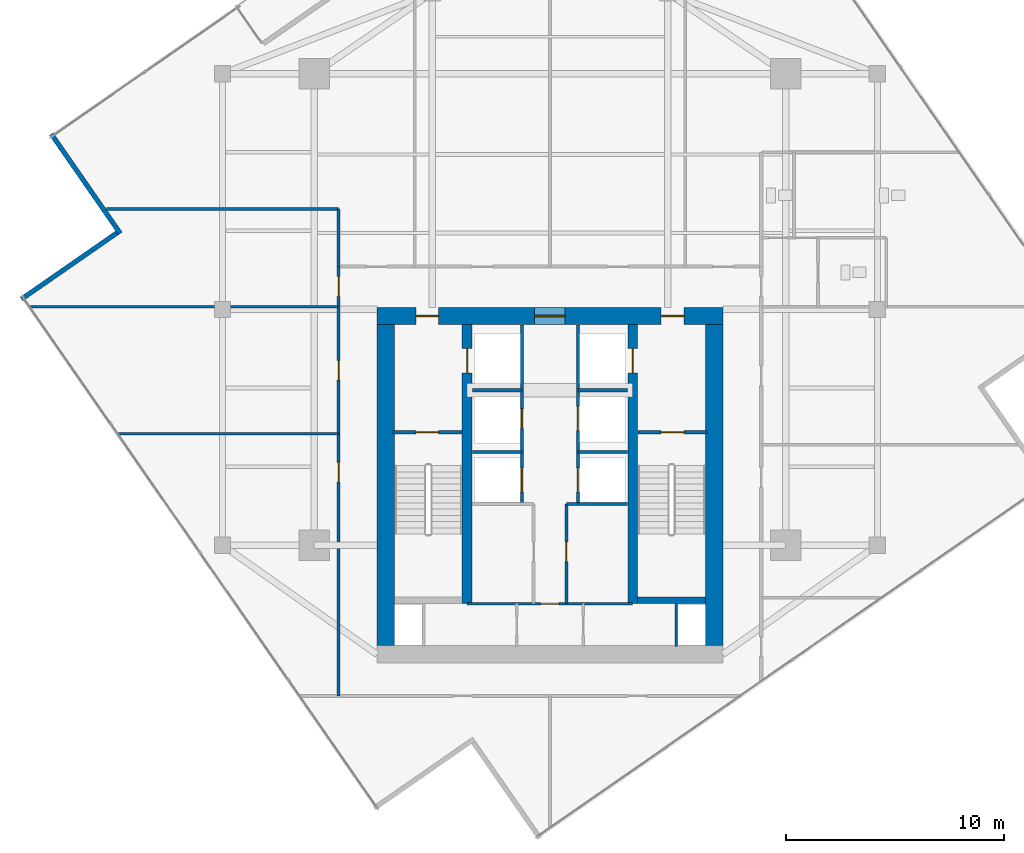
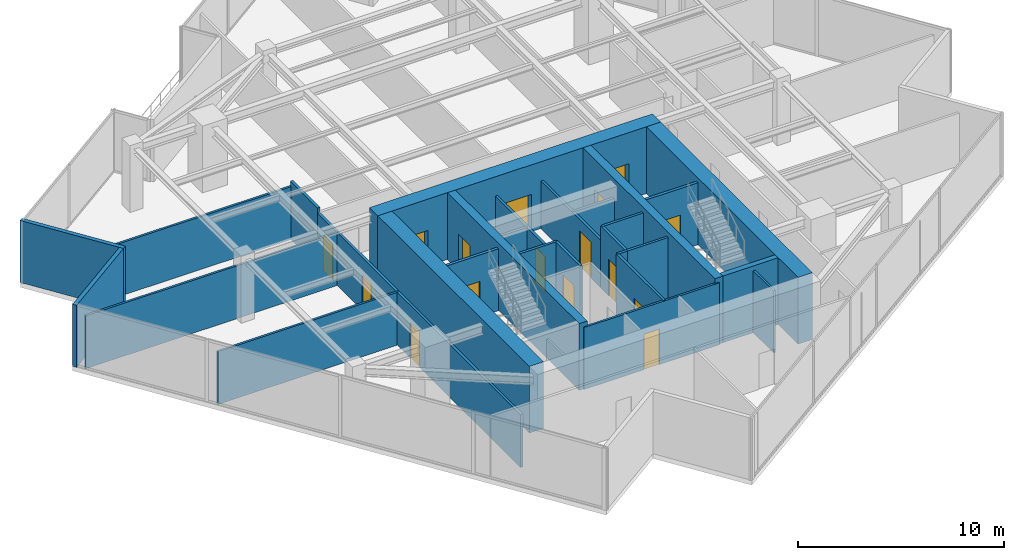
# One storey, part 18 of 21: 28 walls, 16 doors, 16 openings.
"""IFC4 building model written with IfcOpenShell, lengths in metres."""

from ifc_helpers import new_model, si_unit, direction, frame, frame_2d, origin, place, context, subcontext, project, spatial, rectangle, extrude, material, layer, layer_set, type_object, element, fill, save


model = new_model("IFC4")

# Units and contexts
model_context = context("Model", 3, precision=1e-05, world=origin(), true_north=direction((0.0, 1.0)))
body_context = subcontext(model_context, "Body", "Model", "MODEL_VIEW")
ifc_project = project(units=[si_unit("LENGTHUNIT", "METRE"), si_unit("AREAUNIT", "SQUARE_METRE"), si_unit("VOLUMEUNIT", "CUBIC_METRE"), si_unit("PLANEANGLEUNIT", "RADIAN"), si_unit("MASSUNIT", "GRAM", prefix="KILO")], contexts=[model_context])

# Site, building, storey
site_placement = place(None, origin())
site = spatial("IfcSite", under=ifc_project, at=site_placement, CompositionType="ELEMENT")
building_placement = place(site_placement, origin())
building = spatial("IfcBuilding", under=site, at=building_placement, Name="Krantzveldt Concourse Tower", CompositionType="ELEMENT")
storey_placement = place(building_placement, frame((0.0, 0.0, 271.35009765625)))
storey = spatial("IfcBuildingStorey", under=building, at=storey_placement, Name="L66", CompositionType="ELEMENT", Elevation=271.35009765625)

# Walls
ifc_material_1 = material(Name="Anodised aluminium 6063-T6", Category="aluminium")
ifc_layer_1 = layer(ifc_material_1, 0.219970703125, Name="Anodised aluminium 6063-T6", Category="aluminium")
ifc_layer_set_1 = layer_set([ifc_layer_1], Name="Anodised aluminium 6063-T6 (WL-EXT-NOTCH220)")
wall_type_1 = type_object("IfcWallType", Name="WL-EXT-NOTCH220", PredefinedType="ELEMENTEDWALL", material=ifc_layer_set_1)
wall_1_placement = place(storey_placement, frame((13.154541015625, 34.736572265625, 0.0), z_axis=(0.0, 0.0, 1.0), x_axis=(0.569988141022, -0.821652918874, 0.0)))
element("IfcWall", 1, at=wall_1_placement, inside=storey, type_object=wall_type_1, Name="EW-L66-NCH06", PredefinedType="ELEMENTEDWALL", context=body_context, shape_type="SweptSolid", body=[
    extrude(rectangle(XDim=5.545166015625, YDim=0.219970703125, at=frame_2d((2.7724609375, 0.0))), origin(), (0.0, 0.0, 1.0), 3.669921875),
])
wall_2_placement = place(storey_placement, frame((16.162109375, 30.208251953125, 0.0), z_axis=(0.0, 0.0, 1.0), x_axis=(-0.821652092748, -0.569989331903, 0.0)))
element("IfcWall", 2, at=wall_2_placement, inside=storey, type_object=wall_type_1, Name="EW-L66-NCH07", PredefinedType="ELEMENTEDWALL", context=body_context, shape_type="SweptSolid", body=[
    extrude(rectangle(XDim=5.324951171875, YDim=0.219970703125, at=frame_2d((2.66259765625, 0.0))), origin(), (0.0, 0.0, 1.0), 3.669921875),
])

# Wall, opening, door
ifc_material_2 = material(Name="Fire-rated gypsum plasterboard on steel stud", Category="steel")
ifc_layer_2 = layer(ifc_material_2, 0.1201171875, Name="Fire-rated gypsum plasterboard on steel stud", Category="steel")
ifc_layer_set_2 = layer_set([ifc_layer_2], Name="Fire-rated gypsum plasterboard on steel stud (WL-PART-120)")
wall_type_2 = type_object("IfcWallType", Name="WL-PART-120", PredefinedType="PARTITIONING", material=ifc_layer_set_2)
wall_3_placement = place(storey_placement, frame((32.2099609375, 13.219970703125, 0.0), z_axis=(0.0, 0.0, 1.0), x_axis=(1.0, 0.0, 0.0)))
wall_3 = element("IfcWall", 3, at=wall_3_placement, inside=storey, type_object=wall_type_2, Name="WP-L66-CS2H", PredefinedType="PARTITIONING", context=body_context, shape_type="SweptSolid", body=[
    extrude(rectangle(XDim=7.580078125, YDim=0.1201171875, at=frame_2d((3.7900390625, 0.0))), origin(), (0.0, 0.0, 1.0), 3.669921875),
])
opening_1_placement = place(wall_3_placement, frame((3.364990234375, 0.0, 0.0)))
opening_1 = element("IfcOpeningElement", 4, at=opening_1_placement, cuts=wall_3, Name="Opening D-IN085", PredefinedType="OPENING", context=body_context, shape_type="SweptSolid", body=[
    extrude(rectangle(XDim=0.85009765625, YDim=2.10009765625, at=frame_2d((0.425048828125, 1.050048828125))), frame((0.0, 0.070068359375, 0.0), z_axis=(0.0, -1.0, 0.0), x_axis=(1.0, 0.0, 0.0)), (0.0, 0.0, 1.0), 0.14013671875),
])
ifc_material_3 = material(Name="Hardwood timber", Category="wood")
door_type_1 = type_object("IfcDoorType", Name="DR-INT-850", OperationType="SINGLE_SWING_LEFT", PredefinedType="DOOR", material=ifc_material_3)
door_1_placement = place(opening_1_placement, origin())
door_1 = element("IfcDoor", 5, at=door_1_placement, inside=storey, type_object=door_type_1, Name="DR-L66-LLBS", OperationType="SINGLE_SWING_RIGHT", OverallHeight=2.10009765625, OverallWidth=0.85009765625, PredefinedType="DOOR", context=body_context, shape_type="SweptSolid", body=[
    extrude(rectangle(XDim=0.85009765625, YDim=2.10009765625, at=frame_2d((0.425048828125, 1.050048828125))), frame((0.0, 0.02490234375, 0.0), z_axis=(0.0, -1.0, 0.0), x_axis=(1.0, 0.0, 0.0)), (0.0, 0.0, 1.0), 0.050048828125),
])
fill(opening_1, door_1)

# Walls
wall_4_placement = place(storey_placement, frame((12.171875, 26.820068359375, 0.0), z_axis=(0.0, 0.0, 1.0), x_axis=(1.0, 0.0, 0.0)))
element("IfcWall", 6, at=wall_4_placement, inside=storey, type_object=wall_type_2, Name="WP-L66-PNTS", PredefinedType="PARTITIONING", context=body_context, shape_type="SweptSolid", body=[
    extrude(rectangle(XDim=14.148193359375, YDim=0.1201171875, at=frame_2d((7.07421875, 0.0))), origin(), (0.0, 0.0, 1.0), 3.1298828125),
])
wall_5_placement = place(storey_placement, frame((15.6787109375, 31.300048828125, 0.0), z_axis=(0.0, 0.0, 1.0), x_axis=(1.0, 0.0, 0.0)))
element("IfcWall", 7, at=wall_5_placement, inside=storey, type_object=wall_type_2, Name="WP-L66-PNTN", PredefinedType="PARTITIONING", context=body_context, shape_type="SweptSolid", body=[
    extrude(rectangle(XDim=10.641357421875, YDim=0.1201171875, at=frame_2d((5.32080078125, 0.0))), origin(), (0.0, 0.0, 1.0), 3.1298828125),
])
wall_6_placement = place(storey_placement, frame((16.209228515625, 21.0, 0.0), z_axis=(0.0, 0.0, 1.0), x_axis=(1.0, 0.0, 0.0)))
element("IfcWall", 8, at=wall_6_placement, inside=storey, type_object=wall_type_2, Name="WP-L66-WD1", PredefinedType="PARTITIONING", context=body_context, shape_type="SweptSolid", body=[
    extrude(rectangle(XDim=10.11083984375, YDim=0.1201171875, at=frame_2d((5.055419921875, 0.0))), origin(), (0.0, 0.0, 1.0), 3.1298828125),
])

# Wall, openings, doors
ifc_layer_3 = layer(ifc_material_2, 0.139892578125, Name="Fire-rated gypsum plasterboard on steel stud", Category="steel")
ifc_layer_set_3 = layer_set([ifc_layer_3], Name="Fire-rated gypsum plasterboard on steel stud (WL-PART-140)")
wall_type_3 = type_object("IfcWallType", Name="WL-PART-140", PredefinedType="PARTITIONING", material=ifc_layer_set_3)
wall_7_placement = place(storey_placement, frame((26.320068359375, 9.0, 0.0), z_axis=(0.0, 0.0, 1.0), x_axis=(0.0, 1.0, 0.0)))
wall_7 = element("IfcWall", 9, at=wall_7_placement, inside=storey, type_object=wall_type_3, Name="WP-L66-CWEST", PredefinedType="PARTITIONING", context=body_context, shape_type="SweptSolid", body=[
    extrude(rectangle(XDim=19.659912109375, YDim=0.139892578125, at=frame_2d((9.830078125, 0.0))), origin(), (0.0, 0.0, 1.0), 3.1298828125),
])
opening_2_placement = place(wall_7_placement, frame((18.300048828125, 0.0, 0.0)))
opening_2 = element("IfcOpeningElement", 10, at=opening_2_placement, cuts=wall_7, Name="Opening D-IN090", PredefinedType="OPENING", context=body_context, shape_type="SweptSolid", body=[
    extrude(rectangle(XDim=0.89990234375, YDim=2.10009765625, at=frame_2d((0.449951171875, 1.050048828125))), frame((0.0, 0.080078125, 0.0), z_axis=(0.0, -1.0, 0.0), x_axis=(1.0, 0.0, 0.0)), (0.0, 0.0, 1.0), 0.159912109375),
])
opening_3_placement = place(wall_7_placement, frame((9.800048828125, 0.0, 0.0)))
opening_3 = element("IfcOpeningElement", 11, at=opening_3_placement, cuts=wall_7, Name="Opening D-IN090", PredefinedType="OPENING", context=body_context, shape_type="SweptSolid", body=[
    extrude(rectangle(XDim=0.89990234375, YDim=2.10009765625, at=frame_2d((0.449951171875, 1.050048828125))), frame((0.0, 0.080078125, 0.0), z_axis=(0.0, -1.0, 0.0), x_axis=(1.0, 0.0, 0.0)), (0.0, 0.0, 1.0), 0.159912109375),
])
opening_4_placement = place(wall_7_placement, frame((14.4599609375, 0.0, 0.0)))
opening_4 = element("IfcOpeningElement", 12, at=opening_4_placement, cuts=wall_7, Name="Opening D-IN090", PredefinedType="OPENING", context=body_context, shape_type="SweptSolid", body=[
    extrude(rectangle(XDim=0.89990234375, YDim=2.10009765625, at=frame_2d((0.449951171875, 1.050048828125))), frame((0.0, 0.080078125, 0.0), z_axis=(0.0, -1.0, 0.0), x_axis=(1.0, 0.0, 0.0)), (0.0, 0.0, 1.0), 0.159912109375),
])
door_type_2 = type_object("IfcDoorType", Name="DR-INT-900", OperationType="SINGLE_SWING_LEFT", PredefinedType="DOOR", material=ifc_material_3)
door_2_placement = place(opening_2_placement, origin())
door_2 = element("IfcDoor", 13, at=door_2_placement, inside=storey, type_object=door_type_2, Name="DR-L66-PNT", OperationType="SINGLE_SWING_LEFT", OverallHeight=2.10009765625, OverallWidth=0.89990234375, PredefinedType="DOOR", context=body_context, shape_type="SweptSolid", body=[
    extrude(rectangle(XDim=0.89990234375, YDim=2.10009765625, at=frame_2d((0.449951171875, 1.050048828125))), frame((0.0, 0.02490234375, 0.0), z_axis=(0.0, -1.0, 0.0), x_axis=(1.0, 0.0, 0.0)), (0.0, 0.0, 1.0), 0.050048828125),
])
fill(opening_2, door_2)
door_3_placement = place(opening_3_placement, origin())
door_3 = element("IfcDoor", 14, at=door_3_placement, inside=storey, type_object=door_type_2, Name="DR-L66-WR1", OperationType="SINGLE_SWING_LEFT", OverallHeight=2.10009765625, OverallWidth=0.89990234375, PredefinedType="DOOR", context=body_context, shape_type="SweptSolid", body=[
    extrude(rectangle(XDim=0.89990234375, YDim=2.10009765625, at=frame_2d((0.449951171875, 1.050048828125))), frame((0.0, 0.02490234375, 0.0), z_axis=(0.0, -1.0, 0.0), x_axis=(1.0, 0.0, 0.0)), (0.0, 0.0, 1.0), 0.050048828125),
])
fill(opening_3, door_3)
door_4_placement = place(opening_4_placement, origin())
door_4 = element("IfcDoor", 15, at=door_4_placement, inside=storey, type_object=door_type_2, Name="DR-L66-WR2", OperationType="SINGLE_SWING_LEFT", OverallHeight=2.10009765625, OverallWidth=0.89990234375, PredefinedType="DOOR", context=body_context, shape_type="SweptSolid", body=[
    extrude(rectangle(XDim=0.89990234375, YDim=2.10009765625, at=frame_2d((0.449951171875, 1.050048828125))), frame((0.0, 0.02490234375, 0.0), z_axis=(0.0, -1.0, 0.0), x_axis=(1.0, 0.0, 0.0)), (0.0, 0.0, 1.0), 0.050048828125),
])
fill(opening_4, door_4)

# Wall
wall_8_placement = place(storey_placement, frame((26.320068359375, 28.659912109375, 0.0), z_axis=(0.0, 0.0, 1.0), x_axis=(0.0, 1.0, 0.0)))
element("IfcWall", 16, at=wall_8_placement, inside=storey, type_object=wall_type_3, Name="WP-L66-NWL", PredefinedType="PARTITIONING", context=body_context, shape_type="SweptSolid", body=[
    extrude(rectangle(XDim=2.64013671875, YDim=0.139892578125, at=frame_2d((1.320068359375, 0.0))), origin(), (0.0, 0.0, 1.0), 3.429931640625),
])

# Wall, opening, door
ifc_layer_4 = layer(ifc_material_2, 0.139892578125, Name="Fire-rated gypsum plasterboard on steel stud", Category="steel")
ifc_layer_set_4 = layer_set([ifc_layer_4], Name="Fire-rated gypsum plasterboard on steel stud (WL-PART-FR140)")
wall_type_4 = type_object("IfcWallType", Name="WL-PART-FR140", PredefinedType="PARTITIONING", material=ifc_layer_set_4)
wall_9_placement = place(storey_placement, frame((34.719970703125, 20.199951171875, 0.0), z_axis=(0.0, 0.0, 1.0), x_axis=(0.0, 1.0, 0.0)))
wall_9 = element("IfcWall", 17, at=wall_9_placement, inside=storey, type_object=wall_type_4, Name="WP-L66-SHNW", PredefinedType="PARTITIONING", context=body_context, shape_type="SweptSolid", body=[
    extrude(rectangle(XDim=5.780029296875, YDim=0.139892578125, at=frame_2d((2.89013671875, 0.0))), origin(), (0.0, 0.0, 1.0), 2.81982421875),
])
opening_5_placement = place(wall_9_placement, frame((1.050048828125, 0.0, 0.0)))
opening_5 = element("IfcOpeningElement", 18, at=opening_5_placement, cuts=wall_9, Name="Opening D-FD090", PredefinedType="OPENING", context=body_context, shape_type="SweptSolid", body=[
    extrude(rectangle(XDim=0.89990234375, YDim=2.10009765625, at=frame_2d((0.449951171875, 1.050048828125))), frame((0.0, 0.080078125, 0.0), z_axis=(0.0, -1.0, 0.0), x_axis=(1.0, 0.0, 0.0)), (0.0, 0.0, 1.0), 0.159912109375),
])
door_type_3 = type_object("IfcDoorType", Name="DR-FD60-900", OperationType="SINGLE_SWING_LEFT", PredefinedType="DOOR", material=ifc_material_3)
door_5_placement = place(opening_5_placement, origin())
door_5 = element("IfcDoor", 19, at=door_5_placement, inside=storey, type_object=door_type_3, Name="Electrical Riser Access Door L66", OperationType="SINGLE_SWING_LEFT", OverallHeight=2.10009765625, OverallWidth=0.89990234375, PredefinedType="DOOR", context=body_context, shape_type="SweptSolid", body=[
    extrude(rectangle(XDim=0.89990234375, YDim=2.10009765625, at=frame_2d((0.449951171875, 1.050048828125))), frame((0.0, 0.02490234375, 0.0), z_axis=(0.0, -1.0, 0.0), x_axis=(1.0, 0.0, 0.0)), (0.0, 0.0, 1.0), 0.050048828125),
])
fill(opening_5, door_5)

wall_10_placement = place(storey_placement, frame((37.280029296875, 20.199951171875, 0.0), z_axis=(0.0, 0.0, 1.0), x_axis=(0.0, 1.0, 0.0)))
wall_10 = element("IfcWall", 20, at=wall_10_placement, inside=storey, type_object=wall_type_4, Name="WP-L66-SHNE", PredefinedType="PARTITIONING", context=body_context, shape_type="SweptSolid", body=[
    extrude(rectangle(XDim=5.780029296875, YDim=0.139892578125, at=frame_2d((2.89013671875, 0.0))), origin(), (0.0, 0.0, 1.0), 2.81982421875),
])
opening_6_placement = place(wall_10_placement, frame((0.949951171875, 0.0, 0.0)))
opening_6 = element("IfcOpeningElement", 21, at=opening_6_placement, cuts=wall_10, Name="Opening LD", PredefinedType="OPENING", context=body_context, shape_type="SweptSolid", body=[
    extrude(rectangle(XDim=1.10009765625, YDim=2.14990234375, at=frame_2d((0.550048828125, 1.074951171875))), frame((0.0, 0.080078125, 0.0), z_axis=(0.0, -1.0, 0.0), x_axis=(1.0, 0.0, 0.0)), (0.0, 0.0, 1.0), 0.159912109375),
])
ifc_material_4 = material(Name="Stainless steel 316L", Category="steel")
door_type_4 = type_object("IfcDoorType", Name="DR-SLIDE-LD1100", OperationType="DOUBLE_DOOR_SLIDING", PredefinedType="DOOR", material=ifc_material_4)
door_6_placement = place(opening_6_placement, origin())
door_6 = element("IfcDoor", 22, at=door_6_placement, inside=storey, type_object=door_type_4, Name="LD-L66-GL1", OperationType="DOUBLE_DOOR_SLIDING", OverallHeight=2.14990234375, OverallWidth=1.10009765625, PredefinedType="DOOR", context=body_context, shape_type="SweptSolid", body=[
    extrude(rectangle(XDim=1.10009765625, YDim=2.14990234375, at=frame_2d((0.550048828125, 1.074951171875))), frame((0.0, 0.02490234375, 0.0), z_axis=(0.0, -1.0, 0.0), x_axis=(1.0, 0.0, 0.0)), (0.0, 0.0, 1.0), 0.050048828125),
])
fill(opening_6, door_6)

# Walls
for number, where, z_axis, x_axis, name in (
    (23, (32.449951171875, 23.0, 0.0), (0.0, 0.0, 1.0), (1.0, 0.0, 0.0), "WP-L66-RISH"),
    (24, (37.280029296875, 23.0, 0.0), (0.0, 0.0, 1.0), (1.0, 0.0, 0.0), "WP-L66-GLH"),
):
    element("IfcWall", number, at=place(storey_placement, frame(where, z_axis=z_axis, x_axis=x_axis)), inside=storey, type_object=wall_type_4, Name=name, PredefinedType="PARTITIONING", context=body_context, shape_type="SweptSolid", body=[
        extrude(rectangle(XDim=2.27001953125, YDim=0.139892578125, at=frame_2d((1.135009765625, 0.0))), origin(), (0.0, 0.0, 1.0), 2.81982421875),
    ])

# Wall, opening, door
wall_11_placement = place(storey_placement, frame((34.719970703125, 17.780029296875, 0.0), z_axis=(0.0, 0.0, 1.0), x_axis=(0.0, 1.0, 0.0)))
wall_11 = element("IfcWall", 25, at=wall_11_placement, inside=storey, type_object=wall_type_4, Name="WP-L66-SHNW2", PredefinedType="PARTITIONING", context=body_context, shape_type="SweptSolid", body=[
    extrude(rectangle(XDim=2.419921875, YDim=0.139892578125, at=frame_2d((1.2099609375, 0.0))), origin(), (0.0, 0.0, 1.0), 3.669921875),
])
opening_7_placement = place(wall_11_placement, frame((0.550048828125, 0.0, 0.0)))
opening_7 = element("IfcOpeningElement", 26, at=opening_7_placement, cuts=wall_11, Name="Opening LD", PredefinedType="OPENING", context=body_context, shape_type="SweptSolid", body=[
    extrude(rectangle(XDim=1.10009765625, YDim=2.14990234375, at=frame_2d((0.550048828125, 1.074951171875))), frame((0.0, 0.080078125, 0.0), z_axis=(0.0, -1.0, 0.0), x_axis=(1.0, 0.0, 0.0)), (0.0, 0.0, 1.0), 0.159912109375),
])
door_7_placement = place(opening_7_placement, origin())
door_7 = element("IfcDoor", 27, at=door_7_placement, inside=storey, type_object=door_type_4, Name="LD-L66-PH1", OperationType="DOUBLE_DOOR_SLIDING", OverallHeight=2.14990234375, OverallWidth=1.10009765625, PredefinedType="DOOR", context=body_context, shape_type="SweptSolid", body=[
    extrude(rectangle(XDim=1.10009765625, YDim=2.14990234375, at=frame_2d((0.550048828125, 1.074951171875))), frame((0.0, 0.02490234375, 0.0), z_axis=(0.0, -1.0, 0.0), x_axis=(1.0, 0.0, 0.0)), (0.0, 0.0, 1.0), 0.050048828125),
])
fill(opening_7, door_7)

wall_12_placement = place(storey_placement, frame((37.280029296875, 17.780029296875, 0.0), z_axis=(0.0, 0.0, 1.0), x_axis=(0.0, 1.0, 0.0)))
wall_12 = element("IfcWall", 28, at=wall_12_placement, inside=storey, type_object=wall_type_4, Name="WP-L66-SHNE2", PredefinedType="PARTITIONING", context=body_context, shape_type="SweptSolid", body=[
    extrude(rectangle(XDim=2.419921875, YDim=0.139892578125, at=frame_2d((1.2099609375, 0.0))), origin(), (0.0, 0.0, 1.0), 3.669921875),
])
opening_8_placement = place(wall_12_placement, frame((0.550048828125, 0.0, 0.0)))
opening_8 = element("IfcOpeningElement", 29, at=opening_8_placement, cuts=wall_12, Name="Opening LD", PredefinedType="OPENING", context=body_context, shape_type="SweptSolid", body=[
    extrude(rectangle(XDim=1.10009765625, YDim=2.14990234375, at=frame_2d((0.550048828125, 1.074951171875))), frame((0.0, 0.080078125, 0.0), z_axis=(0.0, -1.0, 0.0), x_axis=(1.0, 0.0, 0.0)), (0.0, 0.0, 1.0), 0.159912109375),
])
door_8_placement = place(opening_8_placement, origin())
door_8 = element("IfcDoor", 30, at=door_8_placement, inside=storey, type_object=door_type_4, Name="LD-L66-PH2", OperationType="DOUBLE_DOOR_SLIDING", OverallHeight=2.14990234375, OverallWidth=1.10009765625, PredefinedType="DOOR", context=body_context, shape_type="SweptSolid", body=[
    extrude(rectangle(XDim=1.10009765625, YDim=2.14990234375, at=frame_2d((0.550048828125, 1.074951171875))), frame((0.0, 0.02490234375, 0.0), z_axis=(0.0, -1.0, 0.0), x_axis=(1.0, 0.0, 0.0)), (0.0, 0.0, 1.0), 0.050048828125),
])
fill(opening_8, door_8)

# Walls
for number, where, z_axis, x_axis, name in (
    (31, (32.449951171875, 20.179931640625, 0.0), (0.0, 0.0, 1.0), (1.0, 0.0, 0.0), "WP-L66-DIVW3"),
    (32, (37.280029296875, 17.780029296875, 0.0), (0.0, 0.0, 1.0), (1.0, 0.0, 0.0), "WP-L66-DIVE2"),
    (33, (37.280029296875, 20.179931640625, 0.0), (0.0, 0.0, 1.0), (1.0, 0.0, 0.0), "WP-L66-DIVE3"),
):
    element("IfcWall", number, at=place(storey_placement, frame(where, z_axis=z_axis, x_axis=x_axis)), inside=storey, type_object=wall_type_4, Name=name, PredefinedType="PARTITIONING", context=body_context, shape_type="SweptSolid", body=[
        extrude(rectangle(XDim=2.27001953125, YDim=0.139892578125, at=frame_2d((1.135009765625, 0.0))), origin(), (0.0, 0.0, 1.0), 3.669921875),
    ])

# Wall, opening, door
wall_13_placement = place(storey_placement, frame((36.75, 13.219970703125, 0.0), z_axis=(0.0, 0.0, 1.0), x_axis=(0.0, 1.0, 0.0)))
wall_13 = element("IfcWall", 34, at=wall_13_placement, inside=storey, type_object=wall_type_4, Name="WP-L66-RECE", PredefinedType="PARTITIONING", context=body_context, shape_type="SweptSolid", body=[
    extrude(rectangle(XDim=4.56005859375, YDim=0.139892578125, at=frame_2d((2.280029296875, 0.0))), origin(), (0.0, 0.0, 1.0), 3.669921875),
])
opening_9_placement = place(wall_13_placement, frame((1.929931640625, 0.0, 0.0)))
opening_9 = element("IfcOpeningElement", 35, at=opening_9_placement, cuts=wall_13, Name="Opening D-FD090", PredefinedType="OPENING", context=body_context, shape_type="SweptSolid", body=[
    extrude(rectangle(XDim=0.89990234375, YDim=2.10009765625, at=frame_2d((0.449951171875, 1.050048828125))), frame((0.0, 0.080078125, 0.0), z_axis=(0.0, -1.0, 0.0), x_axis=(1.0, 0.0, 0.0)), (0.0, 0.0, 1.0), 0.159912109375),
])
door_9_placement = place(opening_9_placement, origin())
door_9 = element("IfcDoor", 36, at=door_9_placement, inside=storey, type_object=door_type_3, Name="DR-L66-RECE", OperationType="SINGLE_SWING_RIGHT", OverallHeight=2.10009765625, OverallWidth=0.89990234375, PredefinedType="DOOR", context=body_context, shape_type="SweptSolid", body=[
    extrude(rectangle(XDim=0.89990234375, YDim=2.10009765625, at=frame_2d((0.449951171875, 1.050048828125))), frame((0.0, 0.02490234375, 0.0), z_axis=(0.0, -1.0, 0.0), x_axis=(1.0, 0.0, 0.0)), (0.0, 0.0, 1.0), 0.050048828125),
])
fill(opening_9, door_9)

# Walls
wall_14_placement = place(storey_placement, frame((36.75, 17.780029296875, 0.0), z_axis=(0.0, 0.0, 1.0), x_axis=(1.0, 0.0, 0.0)))
element("IfcWall", 37, at=wall_14_placement, inside=storey, type_object=wall_type_4, Name="WP-L66-RECEN", PredefinedType="PARTITIONING", context=body_context, shape_type="SweptSolid", body=[
    extrude(rectangle(XDim=0.530029296875, YDim=0.139892578125, at=frame_2d((0.26513671875, 0.0))), origin(), (0.0, 0.0, 1.0), 3.669921875),
])
wall_15_placement = place(storey_placement, frame((41.780029296875, 11.25, 0.0), z_axis=(0.0, 0.0, 1.0), x_axis=(0.0, 1.0, 0.0)))
element("IfcWall", 38, at=wall_15_placement, inside=storey, type_object=wall_type_4, Name="WP-L66-RSE", PredefinedType="PARTITIONING", context=body_context, shape_type="SweptSolid", body=[
    extrude(rectangle(XDim=1.969970703125, YDim=0.1201171875, at=frame_2d((0.98486328125, 0.0))), origin(), (0.0, 0.0, 1.0), 3.669921875),
])

# Wall, opening, door
ifc_layer_5 = layer(ifc_material_2, 0.159912109375, Name="Fire-rated gypsum plasterboard on steel stud", Category="steel")
ifc_layer_set_5 = layer_set([ifc_layer_5], Name="Fire-rated gypsum plasterboard on steel stud (WL-PART-FR160)")
wall_type_5 = type_object("IfcWallType", Name="WL-PART-FR160", PredefinedType="PARTITIONING", material=ifc_layer_set_5)
wall_16_placement = place(storey_placement, frame((28.800048828125, 21.080078125, 0.0), z_axis=(0.0, 0.0, 1.0), x_axis=(1.0, 0.0, 0.0)))
wall_16 = element("IfcWall", 39, at=wall_16_placement, inside=storey, type_object=wall_type_5, Name="WP-L66-ST1", PredefinedType="PARTITIONING", context=body_context, shape_type="SweptSolid", body=[
    extrude(rectangle(XDim=3.159912109375, YDim=0.159912109375, at=frame_2d((1.580078125, 0.0))), origin(), (0.0, 0.0, 1.0), 3.669921875),
])
opening_10_placement = place(wall_16_placement, frame((1.054931640625, 0.0, 0.0)))
opening_10 = element("IfcOpeningElement", 40, at=opening_10_placement, cuts=wall_16, Name="Opening D-FD105", PredefinedType="OPENING", context=body_context, shape_type="SweptSolid", body=[
    extrude(rectangle(XDim=1.050048828125, YDim=2.10009765625, at=frame_2d((0.52490234375, 1.050048828125))), frame((0.0, 0.08984375, 0.0), z_axis=(0.0, -1.0, 0.0), x_axis=(1.0, 0.0, 0.0)), (0.0, 0.0, 1.0), 0.179931640625),
])
ifc_material_5 = material(Name="Galvanised steel", Category="steel")
door_type_5 = type_object("IfcDoorType", Name="DR-FD120-1050", OperationType="SINGLE_SWING_LEFT", PredefinedType="DOOR", material=ifc_material_5)
door_10_placement = place(opening_10_placement, origin())
door_10 = element("IfcDoor", 41, at=door_10_placement, inside=storey, type_object=door_type_5, Name="DR-L66-ST1", OperationType="SINGLE_SWING_RIGHT", OverallHeight=2.10009765625, OverallWidth=1.050048828125, PredefinedType="DOOR", context=body_context, shape_type="SweptSolid", body=[
    extrude(rectangle(XDim=1.050048828125, YDim=2.10009765625, at=frame_2d((0.52490234375, 1.050048828125))), frame((0.0, 0.02490234375, 0.0), z_axis=(0.0, -1.0, 0.0), x_axis=(1.0, 0.0, 0.0)), (0.0, 0.0, 1.0), 0.050048828125),
])
fill(opening_10, door_10)

wall_17_placement = place(storey_placement, frame((40.0400390625, 21.080078125, 0.0), z_axis=(0.0, 0.0, 1.0), x_axis=(1.0, 0.0, 0.0)))
wall_17 = element("IfcWall", 42, at=wall_17_placement, inside=storey, type_object=wall_type_5, Name="WP-L66-ST2", PredefinedType="PARTITIONING", context=body_context, shape_type="SweptSolid", body=[
    extrude(rectangle(XDim=3.159912109375, YDim=0.159912109375, at=frame_2d((1.580078125, 0.0))), origin(), (0.0, 0.0, 1.0), 3.669921875),
])
opening_11_placement = place(wall_17_placement, frame((1.054931640625, 0.0, 0.0)))
opening_11 = element("IfcOpeningElement", 43, at=opening_11_placement, cuts=wall_17, Name="Opening D-FD105", PredefinedType="OPENING", context=body_context, shape_type="SweptSolid", body=[
    extrude(rectangle(XDim=1.050048828125, YDim=2.10009765625, at=frame_2d((0.52490234375, 1.050048828125))), frame((0.0, 0.08984375, 0.0), z_axis=(0.0, -1.0, 0.0), x_axis=(1.0, 0.0, 0.0)), (0.0, 0.0, 1.0), 0.179931640625),
])
door_11_placement = place(opening_11_placement, origin())
door_11 = element("IfcDoor", 44, at=door_11_placement, inside=storey, type_object=door_type_5, Name="DR-L66-ST2", OperationType="SINGLE_SWING_LEFT", OverallHeight=2.10009765625, OverallWidth=1.050048828125, PredefinedType="DOOR", context=body_context, shape_type="SweptSolid", body=[
    extrude(rectangle(XDim=1.050048828125, YDim=2.10009765625, at=frame_2d((0.52490234375, 1.050048828125))), frame((0.0, 0.02490234375, 0.0), z_axis=(0.0, -1.0, 0.0), x_axis=(1.0, 0.0, 0.0)), (0.0, 0.0, 1.0), 0.050048828125),
])
fill(opening_11, door_11)

# Wall
ifc_material_6 = material(Name="Concrete C50/60", Category="concrete")
ifc_layer_6 = layer(ifc_material_6, 0.300048828125, Name="Concrete C50/60", Category="concrete")
ifc_layer_set_6 = layer_set([ifc_layer_6], Name="Concrete C50/60 (WL-SHEAR-300)")
wall_type_6 = type_object("IfcWallType", Name="WL-SHEAR-300", PredefinedType="SHEAR", material=ifc_layer_set_6)
wall_18_placement = place(storey_placement, frame((40.02001953125, 13.3701171875, 0.0), z_axis=(0.0, 0.0, 1.0), x_axis=(1.0, 0.0, 0.0)))
element("IfcWall", 45, at=wall_18_placement, inside=storey, type_object=wall_type_6, Name="CW-L66-ST2S", PredefinedType="SHEAR", context=body_context, shape_type="SweptSolid", body=[
    extrude(rectangle(XDim=3.10009765625, YDim=0.300048828125, at=frame_2d((1.550048828125, 0.0))), origin(), (0.0, 0.0, 1.0), 3.949951171875),
])

# Wall, opening, door
ifc_layer_7 = layer(ifc_material_6, 0.449951171875, Name="Concrete C50/60", Category="concrete")
ifc_layer_set_7 = layer_set([ifc_layer_7], Name="Concrete C50/60 (WL-SHEAR-450)")
wall_type_7 = type_object("IfcWallType", Name="WL-SHEAR-450", PredefinedType="SHEAR", material=ifc_layer_set_7)
wall_19_placement = place(storey_placement, frame((32.205078125, 13.219970703125, 0.0), z_axis=(0.0, 0.0, 1.0), x_axis=(0.0, 1.0, 0.0)))
wall_19 = element("IfcWall", 46, at=wall_19_placement, inside=storey, type_object=wall_type_7, Name="CW-L66-IW", PredefinedType="SHEAR", context=body_context, shape_type="SweptSolid", body=[
    extrude(rectangle(XDim=12.780029296875, YDim=0.449951171875, at=frame_2d((6.39013671875, 0.0))), origin(), (0.0, 0.0, 1.0), 3.949951171875),
])
opening_12_placement = place(wall_19_placement, frame((10.580078125, 0.0, 0.0)))
opening_12 = element("IfcOpeningElement", 47, at=opening_12_placement, cuts=wall_19, Name="Opening LD", PredefinedType="OPENING", context=body_context, shape_type="SweptSolid", body=[
    extrude(rectangle(XDim=1.10009765625, YDim=2.14990234375, at=frame_2d((0.550048828125, 1.074951171875))), frame((0.0, 0.23486328125, 0.0), z_axis=(0.0, -1.0, 0.0), x_axis=(1.0, 0.0, 0.0)), (0.0, 0.0, 1.0), 0.469970703125),
])
door_12_placement = place(opening_12_placement, origin())
door_12 = element("IfcDoor", 48, at=door_12_placement, inside=storey, type_object=door_type_4, Name="LD-L66-FL1", OperationType="DOUBLE_DOOR_SLIDING", OverallHeight=2.14990234375, OverallWidth=1.10009765625, PredefinedType="DOOR", context=body_context, shape_type="SweptSolid", body=[
    extrude(rectangle(XDim=1.10009765625, YDim=2.14990234375, at=frame_2d((0.550048828125, 1.074951171875))), frame((0.0, 0.02490234375, 0.0), z_axis=(0.0, -1.0, 0.0), x_axis=(1.0, 0.0, 0.0)), (0.0, 0.0, 1.0), 0.050048828125),
])
fill(opening_12, door_12)

wall_20_placement = place(storey_placement, frame((39.794921875, 13.219970703125, 0.0), z_axis=(0.0, 0.0, 1.0), x_axis=(0.0, 1.0, 0.0)))
wall_20 = element("IfcWall", 49, at=wall_20_placement, inside=storey, type_object=wall_type_7, Name="CW-L66-IE", PredefinedType="SHEAR", context=body_context, shape_type="SweptSolid", body=[
    extrude(rectangle(XDim=12.780029296875, YDim=0.449951171875, at=frame_2d((6.39013671875, 0.0))), origin(), (0.0, 0.0, 1.0), 3.949951171875),
])
opening_13_placement = place(wall_20_placement, frame((10.580078125, 0.0, 0.0)))
opening_13 = element("IfcOpeningElement", 50, at=opening_13_placement, cuts=wall_20, Name="Opening LD", PredefinedType="OPENING", context=body_context, shape_type="SweptSolid", body=[
    extrude(rectangle(XDim=1.10009765625, YDim=2.14990234375, at=frame_2d((0.550048828125, 1.074951171875))), frame((0.0, 0.23486328125, 0.0), z_axis=(0.0, -1.0, 0.0), x_axis=(1.0, 0.0, 0.0)), (0.0, 0.0, 1.0), 0.469970703125),
])
door_13_placement = place(opening_13_placement, origin())
door_13 = element("IfcDoor", 51, at=door_13_placement, inside=storey, type_object=door_type_4, Name="LD-L66-FL2", OperationType="DOUBLE_DOOR_SLIDING", OverallHeight=2.14990234375, OverallWidth=1.10009765625, PredefinedType="DOOR", context=body_context, shape_type="SweptSolid", body=[
    extrude(rectangle(XDim=1.10009765625, YDim=2.14990234375, at=frame_2d((0.550048828125, 1.074951171875))), frame((0.0, 0.02490234375, 0.0), z_axis=(0.0, -1.0, 0.0), x_axis=(1.0, 0.0, 0.0)), (0.0, 0.0, 1.0), 0.050048828125),
])
fill(opening_13, door_13)

# Wall, openings, doors
ifc_material_7 = material(Name="Concrete C60/75", Category="concrete")
ifc_layer_8 = layer(ifc_material_7, 0.800048828125, Name="Concrete C60/75", Category="concrete")
ifc_layer_set_8 = layer_set([ifc_layer_8], Name="Concrete C60/75 (WL-SHEAR-800)")
wall_type_8 = type_object("IfcWallType", Name="WL-SHEAR-800", PredefinedType="SHEAR", material=ifc_layer_set_8)
wall_21_placement = place(storey_placement, frame((28.080078125, 26.39990234375, 0.0), z_axis=(0.0, 0.0, 1.0), x_axis=(1.0, 0.0, 0.0)))
wall_21 = element("IfcWall", 52, at=wall_21_placement, inside=storey, type_object=wall_type_8, Name="CW-L66-N", PredefinedType="SHEAR", context=body_context, shape_type="SweptSolid", body=[
    extrude(rectangle(XDim=15.83984375, YDim=0.800048828125, at=frame_2d((7.919921875, 0.0))), origin(), (0.0, 0.0, 1.0), 3.949951171875),
])
opening_14_placement = place(wall_21_placement, frame((7.219970703125, 0.0, 0.0)))
opening_14 = element("IfcOpeningElement", 53, at=opening_14_placement, cuts=wall_21, Name="Opening D-DB140", PredefinedType="OPENING", context=body_context, shape_type="SweptSolid", body=[
    extrude(rectangle(XDim=1.39990234375, YDim=2.199951171875, at=frame_2d((0.699951171875, 1.10009765625))), frame((0.0, 0.41015625, 0.0), z_axis=(0.0, -1.0, 0.0), x_axis=(1.0, 0.0, 0.0)), (0.0, 0.0, 1.0), 0.820068359375),
])
opening_15_placement = place(wall_21_placement, frame((1.77490234375, 0.0, 0.0)))
opening_15 = element("IfcOpeningElement", 54, at=opening_15_placement, cuts=wall_21, Name="Opening D-FD105", PredefinedType="OPENING", context=body_context, shape_type="SweptSolid", body=[
    extrude(rectangle(XDim=1.050048828125, YDim=2.10009765625, at=frame_2d((0.52490234375, 1.050048828125))), frame((0.0, 0.41015625, 0.0), z_axis=(0.0, -1.0, 0.0), x_axis=(1.0, 0.0, 0.0)), (0.0, 0.0, 1.0), 0.820068359375),
])
opening_16_placement = place(wall_21_placement, frame((13.014892578125, 0.0, 0.0)))
opening_16 = element("IfcOpeningElement", 55, at=opening_16_placement, cuts=wall_21, Name="Opening D-FD105", PredefinedType="OPENING", context=body_context, shape_type="SweptSolid", body=[
    extrude(rectangle(XDim=1.050048828125, YDim=2.10009765625, at=frame_2d((0.52490234375, 1.050048828125))), frame((0.0, 0.41015625, 0.0), z_axis=(0.0, -1.0, 0.0), x_axis=(1.0, 0.0, 0.0)), (0.0, 0.0, 1.0), 0.820068359375),
])
door_type_6 = type_object("IfcDoorType", Name="DR-DBL-1400", OperationType="DOUBLE_DOOR_SINGLE_SWING", PredefinedType="DOOR", material=ifc_material_1)
door_14_placement = place(opening_14_placement, origin())
door_14 = element("IfcDoor", 56, at=door_14_placement, inside=storey, type_object=door_type_6, Name="DR-L66-LLB", OperationType="DOUBLE_DOOR_SINGLE_SWING", OverallHeight=2.199951171875, OverallWidth=1.39990234375, PredefinedType="DOOR", context=body_context, shape_type="SweptSolid", body=[
    extrude(rectangle(XDim=1.39990234375, YDim=2.199951171875, at=frame_2d((0.699951171875, 1.10009765625))), frame((0.0, 0.02490234375, 0.0), z_axis=(0.0, -1.0, 0.0), x_axis=(1.0, 0.0, 0.0)), (0.0, 0.0, 1.0), 0.050048828125),
])
fill(opening_14, door_14)
door_15_placement = place(opening_15_placement, origin())
door_15 = element("IfcDoor", 57, at=door_15_placement, inside=storey, type_object=door_type_5, Name="DR-L66-FFL1", OperationType="SINGLE_SWING_LEFT", OverallHeight=2.10009765625, OverallWidth=1.050048828125, PredefinedType="DOOR", context=body_context, shape_type="SweptSolid", body=[
    extrude(rectangle(XDim=1.050048828125, YDim=2.10009765625, at=frame_2d((0.52490234375, 1.050048828125))), frame((0.0, 0.02490234375, 0.0), z_axis=(0.0, -1.0, 0.0), x_axis=(1.0, 0.0, 0.0)), (0.0, 0.0, 1.0), 0.050048828125),
])
fill(opening_15, door_15)
door_16_placement = place(opening_16_placement, origin())
door_16 = element("IfcDoor", 58, at=door_16_placement, inside=storey, type_object=door_type_5, Name="DR-L66-FFL2", OperationType="SINGLE_SWING_RIGHT", OverallHeight=2.10009765625, OverallWidth=1.050048828125, PredefinedType="DOOR", context=body_context, shape_type="SweptSolid", body=[
    extrude(rectangle(XDim=1.050048828125, YDim=2.10009765625, at=frame_2d((0.52490234375, 1.050048828125))), frame((0.0, 0.02490234375, 0.0), z_axis=(0.0, -1.0, 0.0), x_axis=(1.0, 0.0, 0.0)), (0.0, 0.0, 1.0), 0.050048828125),
])
fill(opening_16, door_16)

# Walls
for number, where, z_axis, x_axis, name in (
    (59, (28.47998046875, 11.300048828125, 0.0), (0.0, 0.0, 1.0), (0.0, 1.0, 0.0), "CW-L66-W"),
    (60, (43.52001953125, 11.300048828125, 0.0), (0.0, 0.0, 1.0), (0.0, 1.0, 0.0), "CW-L66-E"),
):
    element("IfcWall", number, at=place(storey_placement, frame(where, z_axis=z_axis, x_axis=x_axis)), inside=storey, type_object=wall_type_8, Name=name, PredefinedType="SHEAR", context=body_context, shape_type="SweptSolid", body=[
        extrude(rectangle(XDim=14.699951171875, YDim=0.800048828125, at=frame_2d((7.35009765625, 0.0))), origin(), (0.0, 0.0, 1.0), 3.949951171875),
    ])

save(model, "model.ifc")
